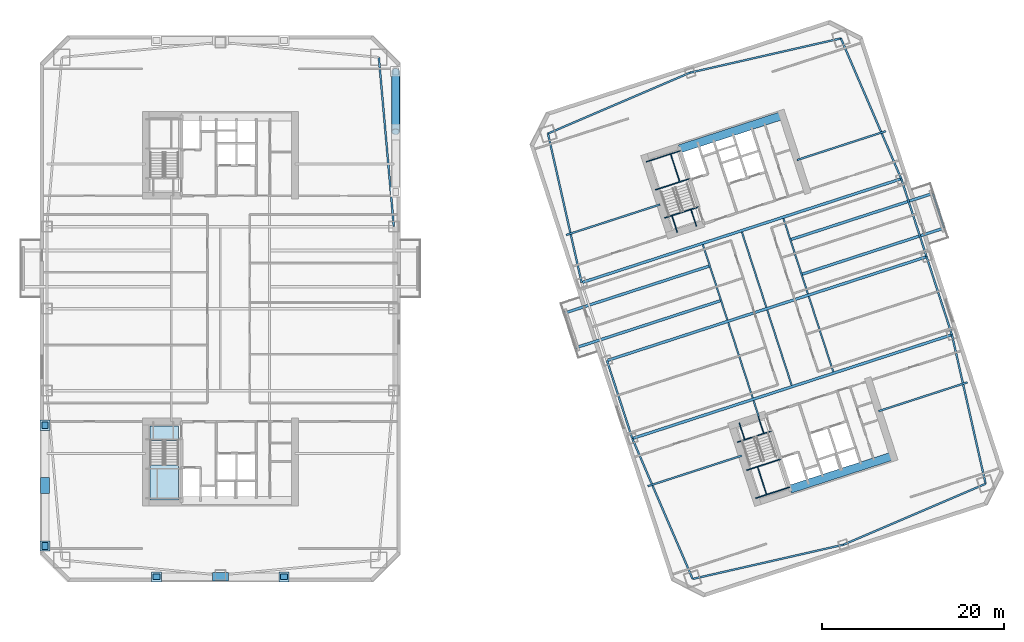
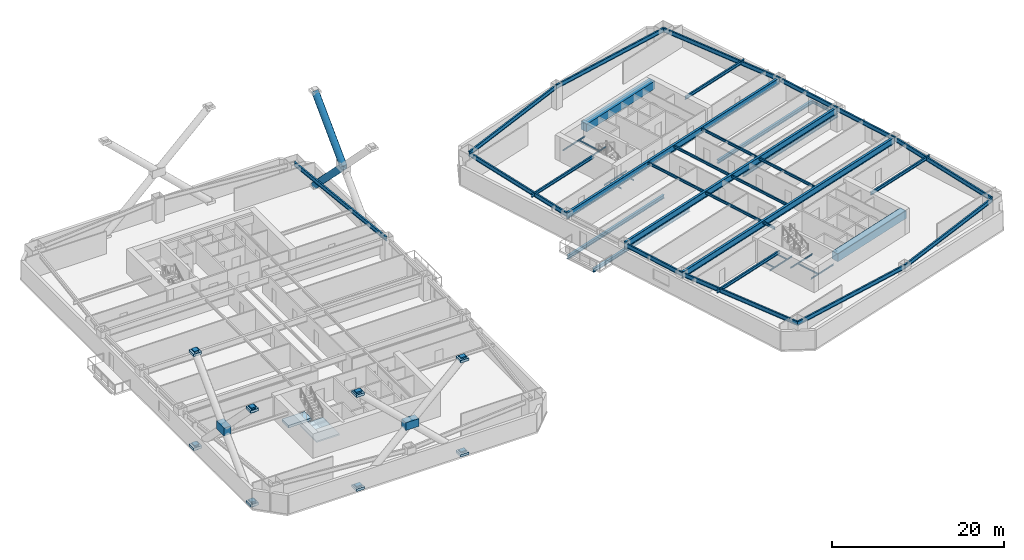
# One storey, part 2 of 15: 45 beams, 18 plates, 2 members, 2 slabs, 1 element without a shape of its own.
"""IFC4 building model written with IfcOpenShell, lengths in metres."""

from ifc_helpers import new_model, si_unit, direction, frame, origin, origin_2d, place, context, subcontext, project, spatial, polyline, rectangle, hollow_circle, i_section, outline, extrude, material, layer, layer_set, material_profile, profile_set, type_object, element, aggregate, save


model = new_model("IFC4")

# Units and contexts
model_context = context("Model", 3, precision=1e-05, world=origin(), true_north=direction((0.0, 1.0)))
body_context = subcontext(model_context, "Body", "Model", "MODEL_VIEW")
ifc_project = project(units=[si_unit("LENGTHUNIT", "METRE"), si_unit("AREAUNIT", "SQUARE_METRE"), si_unit("VOLUMEUNIT", "CUBIC_METRE"), si_unit("PLANEANGLEUNIT", "RADIAN"), si_unit("MASSUNIT", "GRAM", prefix="KILO")], contexts=[model_context])

# Site, building, storey
site_placement = place(None, origin())
site = spatial("IfcSite", under=ifc_project, at=site_placement, CompositionType="ELEMENT")
building_placement = place(site_placement, origin())
building = spatial("IfcBuilding", under=site, at=building_placement, Name="Qiaolan Cultural Towers", CompositionType="ELEMENT")
storey_placement = place(building_placement, frame((0.0, 0.0, 71.300048828125)))
storey = spatial("IfcBuildingStorey", under=building, at=storey_placement, Name="L17", CompositionType="ELEMENT", Elevation=71.300048828125)

# Beams
ifc_material_1 = material(Name="Steel Q355B", Category="steel")
ifc_material_profile_1 = material_profile(ifc_material_1, i_section(OverallWidth=0.300048828125, OverallDepth=0.488037109375, WebThickness=0.010986328125, FlangeThickness=0.01806640625, at=origin_2d()), Name="HM488x300x11x18")
ifc_profile_set_1 = profile_set([ifc_material_profile_1], Name="Steel Q355B")
beam_type_1 = type_object("IfcBeamType", Name="BM-HM488x300x11x18", PredefinedType="BEAM", material=ifc_profile_set_1)
for number, where, z_axis, x_axis, name in (
    (1, (84.978515625, 34.891845703125, -0.524169921875), (-0.951056559899, -0.309016860175, 0.0), (0.309016860175, -0.951056559899, 0.0), "L17 T2 Tree Balcony Back-Spanned Bracket Beam"),
    (2, (83.742431640625, 38.6962890625, -0.524169921875), (-0.951056559899, -0.309016860175, 0.0), (0.309016860175, -0.951056559899, 0.0), "L17 T2 Tree Balcony Back-Spanned Bracket Beam"),
):
    element("IfcBeam", number, at=place(storey_placement, frame(where, z_axis=z_axis, x_axis=x_axis)), inside=storey, type_object=beam_type_1, Name=name, PredefinedType="BEAM", context=body_context, shape_type="SweptSolid", body=[
        extrude(i_section(OverallWidth=0.300048828125, OverallDepth=0.488037109375, WebThickness=0.010986328125, FlangeThickness=0.01806640625, at=origin_2d()), origin(), (0.0, 0.0, 1.0), 16.75),
    ])
for number, where, z_axis, x_axis, name in (
    (3, (93.823486328125, 37.765869140625, -0.524169921875), (0.951057297292, 0.309014590704, 0.0), (-0.309014590704, 0.951057297292, 0.0), "L17 T2 Tree Balcony Back-Spanned Bracket Beam"),
    (4, (92.58740234375, 41.570068359375, -0.524169921875), (0.951057297292, 0.309014590704, 0.0), (-0.309014590704, 0.951057297292, 0.0), "L17 T2 Tree Balcony Back-Spanned Bracket Beam"),
):
    element("IfcBeam", number, at=place(storey_placement, frame(where, z_axis=z_axis, x_axis=x_axis)), inside=storey, type_object=beam_type_1, Name=name, PredefinedType="BEAM", context=body_context, shape_type="SweptSolid", body=[
        extrude(i_section(OverallWidth=0.300048828125, OverallDepth=0.488037109375, WebThickness=0.010986328125, FlangeThickness=0.01806640625, at=origin_2d()), origin(), (0.0, 0.0, 1.0), 16.449951171875),
    ])
ifc_material_2 = material(Name="Steel Q355B", Category="steel")
ifc_material_profile_2 = material_profile(ifc_material_2, i_section(OverallWidth=0.300048828125, OverallDepth=0.89990234375, WebThickness=0.01611328125, FlangeThickness=0.028076171875, at=origin_2d()), Name="HN900x300x16x28")
ifc_profile_set_2 = profile_set([ifc_material_profile_2], Name="Steel Q355B")
beam_type_2 = type_object("IfcBeamType", Name="BM-HN900x300x16x28", PredefinedType="BEAM", material=ifc_profile_set_2)
beam_1_placement = place(storey_placement, frame((75.234130859375, 19.739013671875, 2.739990234375), z_axis=(0.951055702987, 0.309019497469, 0.0), x_axis=(-0.309019497469, 0.951055702987, 0.0)))
element("IfcBeam", 5, at=beam_1_placement, inside=storey, type_object=beam_type_2, Name="L17 T2 Primary Transverse Girder V1", PredefinedType="BEAM", context=body_context, shape_type="SweptSolid", body=[
    extrude(i_section(OverallWidth=0.300048828125, OverallDepth=0.89990234375, WebThickness=0.01611328125, FlangeThickness=0.028076171875, at=origin_2d()), origin(), (0.0, 0.0, 1.0), 36.900146484375),
])
beam_2_placement = place(storey_placement, frame((72.453125, 28.298583984375, 2.739990234375), z_axis=(0.951055071173, 0.309021441968, 0.0), x_axis=(-0.309021441968, 0.951055071173, 0.0)))
element("IfcBeam", 6, at=beam_2_placement, inside=storey, type_object=beam_type_2, Name="L17 T2 Primary Transverse Girder V2", PredefinedType="BEAM", context=body_context, shape_type="SweptSolid", body=[
    extrude(i_section(OverallWidth=0.300048828125, OverallDepth=0.89990234375, WebThickness=0.01611328125, FlangeThickness=0.028076171875, at=origin_2d()), origin(), (0.0, 0.0, 1.0), 36.89990234375),
])
beam_3_placement = place(storey_placement, frame((69.671875, 36.858154296875, 2.739990234375), z_axis=(0.951055702987, 0.309019497469, 0.0), x_axis=(-0.309019497469, 0.951055702987, 0.0)))
element("IfcBeam", 7, at=beam_3_placement, inside=storey, type_object=beam_type_2, Name="L17 T2 Primary Transverse Girder V3", PredefinedType="BEAM", context=body_context, shape_type="SweptSolid", body=[
    extrude(i_section(OverallWidth=0.300048828125, OverallDepth=0.89990234375, WebThickness=0.01611328125, FlangeThickness=0.028076171875, at=origin_2d()), origin(), (0.0, 0.0, 1.0), 36.900146484375),
])
ifc_material_3 = material(Name="Steel Q355B", Category="steel")
ifc_material_profile_3 = material_profile(ifc_material_3, i_section(OverallWidth=0.175048828125, OverallDepth=0.35009765625, WebThickness=0.007080078125, FlangeThickness=0.010986328125, at=origin_2d()), Name="HN350x175x7x11")
ifc_profile_set_3 = profile_set([ifc_material_profile_3], Name="Steel Q355B")
beam_type_3 = type_object("IfcBeamType", Name="BM-JST-HN350x175x7x11", PredefinedType="JOIST", material=ifc_profile_set_3)
beam_4_placement = place(storey_placement, frame((109.46826171875, 42.84912109375, -0.524169921875), z_axis=(-0.309022586479, 0.951054699292, 0.0), x_axis=(-0.951054699292, -0.309022586479, 0.0)))
element("IfcBeam", 8, at=beam_4_placement, inside=storey, type_object=beam_type_3, Name="L17 T2 Tree Balcony Outer Edge Beam", PredefinedType="JOIST", context=body_context, shape_type="SweptSolid", body=[
    extrude(i_section(OverallWidth=0.175048828125, OverallDepth=0.35009765625, WebThickness=0.007080078125, FlangeThickness=0.010986328125, at=origin_2d()), origin(), (0.0, 0.0, 1.0), 4.0),
])
beam_5_placement = place(storey_placement, frame((89.119384765625, 22.147705078125, 3.014892578125), z_axis=(-0.308933885266, 0.951083516067, 0.0), x_axis=(-0.951083516067, -0.308933885266, 0.0)))
element("IfcBeam", 9, at=beam_5_placement, inside=storey, type_object=beam_type_3, Name="L17 T2 Secondary Floor Joist U1-1", PredefinedType="JOIST", context=body_context, shape_type="SweptSolid", body=[
    extrude(i_section(OverallWidth=0.175048828125, OverallDepth=0.35009765625, WebThickness=0.007080078125, FlangeThickness=0.010986328125, at=origin_2d()), origin(), (0.0, 0.0, 1.0), 1.85009765625),
])
for number, where, z_axis, x_axis, name in (
    (10, (88.455078125, 24.192626953125, 3.014892578125), (-0.309020714809, 0.951055307445, 0.0), (-0.951055307445, -0.309020714809, 0.0), "L17 T2 Secondary Floor Joist U1-2"),
    (11, (85.673828125, 32.752197265625, 3.014892578125), (-0.309020714809, 0.951055307445, 0.0), (-0.951055307445, -0.309020714809, 0.0), "L17 T2 Secondary Floor Joist U1-3"),
    (12, (92.73486328125, 25.583251953125, 3.014892578125), (-0.309020714809, 0.951055307445, 0.0), (-0.951055307445, -0.309020714809, 0.0), "L17 T2 Secondary Floor Joist U2-2"),
    (13, (89.95361328125, 34.142578125, 3.014892578125), (-0.309020714809, 0.951055307445, 0.0), (-0.951055307445, -0.309020714809, 0.0), "L17 T2 Secondary Floor Joist U2-3"),
    (14, (97.2998046875, 27.06640625, 3.014892578125), (-0.309020714809, 0.951055307445, 0.0), (-0.951055307445, -0.309020714809, 0.0), "L17 T2 Secondary Floor Joist U3-2"),
    (15, (94.518798828125, 35.6259765625, 3.014892578125), (-0.309020714809, 0.951055307445, 0.0), (-0.951055307445, -0.309020714809, 0.0), "L17 T2 Secondary Floor Joist U3-3"),
):
    element("IfcBeam", number, at=place(storey_placement, frame(where, z_axis=z_axis, x_axis=x_axis)), inside=storey, type_object=beam_type_3, Name=name, PredefinedType="JOIST", context=body_context, shape_type="SweptSolid", body=[
        extrude(i_section(OverallWidth=0.175048828125, OverallDepth=0.35009765625, WebThickness=0.007080078125, FlangeThickness=0.010986328125, at=origin_2d()), origin(), (0.0, 0.0, 1.0), 8.699951171875),
    ])
ifc_material_4 = material(Name="Steel Q355B", Category="steel")
ifc_material_profile_4 = material_profile(ifc_material_4, i_section(OverallWidth=0.199951171875, OverallDepth=0.449951171875, WebThickness=0.009033203125, FlangeThickness=0.013916015625, at=origin_2d()), Name="HN450x200x9x14")
ifc_profile_set_4 = profile_set([ifc_material_profile_4], Name="Steel Q355B")
beam_type_4 = type_object("IfcBeamType", Name="BM-LNT-HN450x200x9x14", PredefinedType="LINTEL", material=ifc_profile_set_4)
beam_6_placement = place(storey_placement, frame((87.252685546875, 17.861083984375, 2.96484375), z_axis=(-0.95105688584, -0.30901585703, 0.0), x_axis=(0.30901585703, -0.95105688584, 0.0)))
element("IfcBeam", 16, at=beam_6_placement, inside=storey, type_object=beam_type_4, Name="L17 T2 Core Flank Tie Lintel WS", PredefinedType="LINTEL", context=body_context, shape_type="SweptSolid", body=[
    extrude(i_section(OverallWidth=0.199951171875, OverallDepth=0.449951171875, WebThickness=0.009033203125, FlangeThickness=0.013916015625, at=origin_2d()), origin(), (0.0, 0.0, 1.0), 10.849853515625),
])
beam_7_placement = place(storey_placement, frame((78.291259765625, 45.44189453125, 2.96484375), z_axis=(-0.951052421511, -0.309029596542, 0.0), x_axis=(0.309029596542, -0.951052421511, 0.0)))
element("IfcBeam", 17, at=beam_7_placement, inside=storey, type_object=beam_type_4, Name="L17 T2 Core Flank Tie Lintel WN", PredefinedType="LINTEL", context=body_context, shape_type="SweptSolid", body=[
    extrude(i_section(OverallWidth=0.199951171875, OverallDepth=0.449951171875, WebThickness=0.009033203125, FlangeThickness=0.013916015625, at=origin_2d()), origin(), (0.0, 0.0, 1.0), 10.85009765625),
])
beam_8_placement = place(storey_placement, frame((102.279296875, 22.74365234375, 2.96484375), z_axis=(0.951056820587, 0.309016057859, 0.0), x_axis=(-0.309016057859, 0.951056820587, 0.0)))
element("IfcBeam", 18, at=beam_8_placement, inside=storey, type_object=beam_type_4, Name="L17 T2 Core Flank Tie Lintel ES", PredefinedType="LINTEL", context=body_context, shape_type="SweptSolid", body=[
    extrude(i_section(OverallWidth=0.199951171875, OverallDepth=0.449951171875, WebThickness=0.009033203125, FlangeThickness=0.013916015625, at=origin_2d()), origin(), (0.0, 0.0, 1.0), 10.250244140625),
])
beam_9_placement = place(storey_placement, frame((93.31787109375, 50.32421875, 2.96484375), z_axis=(0.951054546097, 0.309023057955, 0.0), x_axis=(-0.309023057955, 0.951054546097, 0.0)))
element("IfcBeam", 19, at=beam_9_placement, inside=storey, type_object=beam_type_4, Name="L17 T2 Core Flank Tie Lintel EN", PredefinedType="LINTEL", context=body_context, shape_type="SweptSolid", body=[
    extrude(i_section(OverallWidth=0.199951171875, OverallDepth=0.449951171875, WebThickness=0.009033203125, FlangeThickness=0.013916015625, at=origin_2d()), origin(), (0.0, 0.0, 1.0), 10.25),
])
ifc_material_5 = material(Name="Concrete C50", Category="concrete")
ifc_material_profile_5 = material_profile(ifc_material_5, rectangle(XDim=0.89990234375, YDim=1.10009765625, at=origin_2d()), Name="RC900x1100")
ifc_profile_set_5 = profile_set([ifc_material_profile_5], Name="Concrete C50")
beam_type_5 = type_object("IfcBeamType", Name="BM-RC900x1100", PredefinedType="BEAM", material=ifc_profile_set_5)
for number, where, z_axis, x_axis, name in (
    (20, (92.572265625, 14.174560546875, 2.639892578125), (0.951056266386, 0.309017763514, 0.0), (-0.309017763514, 0.951056266386, 0.0), "L17 T2 Core Header Girder S"),
    (21, (80.427978515625, 51.551025390625, 2.639892578125), (0.951056266386, 0.309017763514, 0.0), (-0.309017763514, 0.951056266386, 0.0), "L17 T2 Core Header Girder N"),
):
    element("IfcBeam", number, at=place(storey_placement, frame(where, z_axis=z_axis, x_axis=x_axis)), inside=storey, type_object=beam_type_5, Name=name, PredefinedType="BEAM", context=body_context, shape_type="SweptSolid", body=[
        extrude(rectangle(XDim=0.89990234375, YDim=1.10009765625, at=origin_2d()), origin(), (0.0, 0.0, 1.0), 11.880126953125),
    ])
ifc_material_6 = material(Name="Steel Q355B", Category="steel")
ifc_material_profile_6 = material_profile(ifc_material_6, i_section(OverallWidth=0.199951171875, OverallDepth=0.60009765625, WebThickness=0.010986328125, FlangeThickness=0.01708984375, at=origin_2d()), Name="HN600x200x11x17")
ifc_profile_set_6 = profile_set([ifc_material_profile_6], Name="Steel Q355B")
beam_type_6 = type_object("IfcBeamType", Name="BM-SPD-HN600x200x11x17", PredefinedType="SPANDREL", material=ifc_profile_set_6)
beam_10_placement = place(storey_placement, frame((49.050048828125, 43.0, 2.889892578125), z_axis=(-0.08837000091, 0.996087718496, 0.0), x_axis=(-0.996087718496, -0.08837000091, 0.0)))
element("IfcBeam", 22, at=beam_10_placement, inside=storey, type_object=beam_type_6, Name="L17 T1 Perimeter Spandrel Beam 6", PredefinedType="SPANDREL", context=body_context, shape_type="SweptSolid", body=[
    extrude(i_section(OverallWidth=0.199951171875, OverallDepth=0.60009765625, WebThickness=0.010986328125, FlangeThickness=0.01708984375, at=origin_2d()), origin(), (0.0, 0.0, 1.0), 18.673095703125),
])
for number, where, z_axis, x_axis, name in (
    (23, (81.862548828125, 4.32275390625, 2.889892578125), (0.975161095889, 0.221496810506, 0.0), (-0.221496810506, 0.975161095889, 0.0), "L17 T2 Perimeter Spandrel Beam 1"),
    (24, (98.420654296875, 8.083740234375, 2.889892578125), (0.919108584923, 0.394004326272, 0.0), (-0.394004326272, 0.919108584923, 0.0), "L17 T2 Perimeter Spandrel Beam 2"),
):
    element("IfcBeam", number, at=place(storey_placement, frame(where, z_axis=z_axis, x_axis=x_axis)), inside=storey, type_object=beam_type_6, Name=name, PredefinedType="SPANDREL", context=body_context, shape_type="SweptSolid", body=[
        extrude(i_section(OverallWidth=0.199951171875, OverallDepth=0.60009765625, WebThickness=0.010986328125, FlangeThickness=0.01708984375, at=origin_2d()), origin(), (0.0, 0.0, 1.0), 16.97998046875),
    ])
beam_11_placement = place(storey_placement, frame((114.027099609375, 14.77392578125, 2.889892578125), z_axis=(-0.220430557386, 0.975402670373, 0.0), x_axis=(-0.975402670373, -0.220430557386, 0.0)))
element("IfcBeam", 25, at=beam_11_placement, inside=storey, type_object=beam_type_6, Name="L17 T2 Perimeter Spandrel Beam 3", PredefinedType="SPANDREL", context=body_context, shape_type="SweptSolid", body=[
    extrude(i_section(OverallWidth=0.199951171875, OverallDepth=0.60009765625, WebThickness=0.010986328125, FlangeThickness=0.01708984375, at=origin_2d()), origin(), (0.0, 0.0, 1.0), 16.78076171875),
])
for number, where, z_axis, x_axis, name in (
    (26, (110.328125, 31.141845703125, 2.889892578125), (-0.309024734286, 0.951054001411, 0.0), (-0.951054001411, -0.309024734286, 0.0), "L17 T2 Perimeter Spandrel Beam 4"),
    (27, (107.546875, 39.701416015625, 2.889892578125), (-0.309000197986, 0.951061973609, 0.0), (-0.951061973609, -0.309000197986, 0.0), "L17 T2 Perimeter Spandrel Beam 5"),
):
    element("IfcBeam", number, at=place(storey_placement, frame(where, z_axis=z_axis, x_axis=x_axis)), inside=storey, type_object=beam_type_6, Name=name, PredefinedType="SPANDREL", context=body_context, shape_type="SweptSolid", body=[
        extrude(i_section(OverallWidth=0.199951171875, OverallDepth=0.60009765625, WebThickness=0.010986328125, FlangeThickness=0.01708984375, at=origin_2d()), origin(), (0.0, 0.0, 1.0), 9.0),
    ])
beam_12_placement = place(storey_placement, frame((104.765869140625, 48.260986328125, 2.889892578125), z_axis=(-0.394998896054, 0.918681594524, 0.0), x_axis=(-0.918681594524, -0.394998896054, 0.0)))
element("IfcBeam", 28, at=beam_12_placement, inside=storey, type_object=beam_type_6, Name="L17 T2 Perimeter Spandrel Beam 6", PredefinedType="SPANDREL", context=body_context, shape_type="SweptSolid", body=[
    extrude(i_section(OverallWidth=0.199951171875, OverallDepth=0.60009765625, WebThickness=0.010986328125, FlangeThickness=0.01708984375, at=origin_2d()), origin(), (0.0, 0.0, 1.0), 16.78076171875),
])
for number, where, z_axis, x_axis, name in (
    (29, (98.137451171875, 63.67724609375, 2.889892578125), (-0.975161095889, -0.221496810506, 0.0), (0.221496810506, -0.975161095889, 0.0), "L17 T2 Perimeter Spandrel Beam 7"),
    (30, (81.579345703125, 59.916259765625, 2.889892578125), (-0.919108584923, -0.394004326272, 0.0), (0.394004326272, -0.919108584923, 0.0), "L17 T2 Perimeter Spandrel Beam 8"),
):
    element("IfcBeam", number, at=place(storey_placement, frame(where, z_axis=z_axis, x_axis=x_axis)), inside=storey, type_object=beam_type_6, Name=name, PredefinedType="SPANDREL", context=body_context, shape_type="SweptSolid", body=[
        extrude(i_section(OverallWidth=0.199951171875, OverallDepth=0.60009765625, WebThickness=0.010986328125, FlangeThickness=0.01708984375, at=origin_2d()), origin(), (0.0, 0.0, 1.0), 16.97998046875),
    ])
beam_13_placement = place(storey_placement, frame((65.972900390625, 53.22607421875, 2.889892578125), z_axis=(0.220430557386, -0.975402670373, 0.0), x_axis=(0.975402670373, 0.220430557386, 0.0)))
element("IfcBeam", 31, at=beam_13_placement, inside=storey, type_object=beam_type_6, Name="L17 T2 Perimeter Spandrel Beam 9", PredefinedType="SPANDREL", context=body_context, shape_type="SweptSolid", body=[
    extrude(i_section(OverallWidth=0.199951171875, OverallDepth=0.60009765625, WebThickness=0.010986328125, FlangeThickness=0.01708984375, at=origin_2d()), origin(), (0.0, 0.0, 1.0), 16.78076171875),
])
beam_14_placement = place(storey_placement, frame((72.453125, 28.298583984375, 2.889892578125), z_axis=(0.309000197986, -0.951061973609, 0.0), x_axis=(0.951061973609, 0.309000197986, 0.0)))
element("IfcBeam", 32, at=beam_14_placement, inside=storey, type_object=beam_type_6, Name="L17 T2 Perimeter Spandrel Beam 11", PredefinedType="SPANDREL", context=body_context, shape_type="SweptSolid", body=[
    extrude(i_section(OverallWidth=0.199951171875, OverallDepth=0.60009765625, WebThickness=0.010986328125, FlangeThickness=0.01708984375, at=origin_2d()), origin(), (0.0, 0.0, 1.0), 9.0),
])
beam_15_placement = place(storey_placement, frame((75.234130859375, 19.739013671875, 2.889892578125), z_axis=(0.394998896054, -0.918681594524, 0.0), x_axis=(0.918681594524, 0.394998896054, 0.0)))
element("IfcBeam", 33, at=beam_15_placement, inside=storey, type_object=beam_type_6, Name="L17 T2 Perimeter Spandrel Beam 12", PredefinedType="SPANDREL", context=body_context, shape_type="SweptSolid", body=[
    extrude(i_section(OverallWidth=0.199951171875, OverallDepth=0.60009765625, WebThickness=0.010986328125, FlangeThickness=0.01708984375, at=origin_2d()), origin(), (0.0, 0.0, 1.0), 16.78076171875),
])
ifc_material_7 = material(Name="Steel Q355B", Category="steel")
ifc_material_profile_7 = material_profile(ifc_material_7, i_section(OverallWidth=0.10009765625, OverallDepth=0.199951171875, WebThickness=0.005615234375, FlangeThickness=0.008056640625, at=origin_2d()), Name="HN200x100x5.5x8")
ifc_profile_set_7 = profile_set([ifc_material_profile_7], Name="Steel Q355B")
beam_type_7 = type_object("IfcBeamType", Name="BM-STTRIM-200", PredefinedType="BEAM", material=ifc_profile_set_7)
beam_16_placement = place(storey_placement, frame((86.770751953125, 19.3447265625, -0.4599609375), z_axis=(0.951047798727, 0.309043823005, 0.0), x_axis=(-0.309043823005, 0.951047798727, 0.0)))
element("IfcBeam", 34, at=beam_16_placement, inside=storey, type_object=beam_type_7, Name="L17 ST-E1 Floor Landing Header Beam", PredefinedType="BEAM", context=body_context, shape_type="SweptSolid", body=[
    extrude(i_section(OverallWidth=0.10009765625, OverallDepth=0.199951171875, WebThickness=0.005615234375, FlangeThickness=0.008056640625, at=origin_2d()), origin(), (0.0, 0.0, 1.0), 3.919921875),
])
for number, where, z_axis, x_axis, name in (
    (35, (86.9794921875, 21.452392578125, -0.4599609375), (0.309083226701, -0.951034993558, 0.0), (0.951034993558, 0.309083226701, 0.0), "L17 ST-E1 Floor Landing Stringer 1"),
    (36, (89.07177734375, 22.13232421875, -0.4599609375), (0.309083226701, -0.951034993558, 0.0), (0.951034993558, 0.309083226701, 0.0), "L17 ST-E1 Floor Landing Stringer 2"),
):
    element("IfcBeam", number, at=place(storey_placement, frame(where, z_axis=z_axis, x_axis=x_axis)), inside=storey, type_object=beam_type_7, Name=name, PredefinedType="BEAM", context=body_context, shape_type="SweptSolid", body=[
        extrude(i_section(OverallWidth=0.10009765625, OverallDepth=0.199951171875, WebThickness=0.005615234375, FlangeThickness=0.008056640625, at=origin_2d()), origin(), (0.0, 0.0, 1.0), 1.93994140625),
    ])
for number, where, z_axis, x_axis, name in (
    (37, (87.774658203125, 16.255126953125, 1.425048828125), (0.951047798727, 0.309043823005, 0.0), (-0.309043823005, 0.951047798727, 0.0), "L17 ST-E1 Stair Landing Support Beam 1-1"),
    (38, (88.773193359375, 13.181884765625, 1.425048828125), (0.951047798727, 0.309043823005, 0.0), (-0.309043823005, 0.951047798727, 0.0), "L17 ST-E1 Stair Landing Support Beam 1-2"),
):
    element("IfcBeam", number, at=place(storey_placement, frame(where, z_axis=z_axis, x_axis=x_axis)), inside=storey, type_object=beam_type_7, Name=name, PredefinedType="BEAM", context=body_context, shape_type="SweptSolid", body=[
        extrude(i_section(OverallWidth=0.10009765625, OverallDepth=0.199951171875, WebThickness=0.005615234375, FlangeThickness=0.008056640625, at=origin_2d()), origin(), (0.0, 0.0, 1.0), 3.919921875),
    ])
beam_17_placement = place(storey_placement, frame((88.982421875, 16.6474609375, 1.425048828125), z_axis=(0.309033108495, -0.951051280349, 0.0), x_axis=(0.951051280349, 0.309033108495, 0.0)))
element("IfcBeam", 39, at=beam_17_placement, inside=storey, type_object=beam_type_7, Name="L17 ST-E1 Stair Landing Trimmer 1", PredefinedType="BEAM", context=body_context, shape_type="SweptSolid", body=[
    extrude(i_section(OverallWidth=0.10009765625, OverallDepth=0.199951171875, WebThickness=0.005615234375, FlangeThickness=0.008056640625, at=origin_2d()), origin(), (0.0, 0.0, 1.0), 3.231201171875),
])
beam_18_placement = place(storey_placement, frame((78.773193359375, 43.958251953125, -0.4599609375), z_axis=(0.951072048947, 0.3089691857, 0.0), x_axis=(-0.3089691857, 0.951072048947, 0.0)))
element("IfcBeam", 40, at=beam_18_placement, inside=storey, type_object=beam_type_7, Name="L17 ST-E2 Floor Landing Header Beam", PredefinedType="BEAM", context=body_context, shape_type="SweptSolid", body=[
    extrude(i_section(OverallWidth=0.10009765625, OverallDepth=0.199951171875, WebThickness=0.005615234375, FlangeThickness=0.008056640625, at=origin_2d()), origin(), (0.0, 0.0, 1.0), 3.920166015625),
])
for number, where, z_axis, x_axis, name in (
    (41, (80.18115234375, 42.375732421875, -0.4599609375), (-0.308969394428, 0.951071981138, 0.0), (-0.951071981138, -0.308969394428, 0.0), "L17 ST-E2 Floor Landing Stringer 1"),
    (42, (82.2734375, 43.0556640625, -0.4599609375), (-0.308969394428, 0.951071981138, 0.0), (-0.951071981138, -0.308969394428, 0.0), "L17 ST-E2 Floor Landing Stringer 2"),
):
    element("IfcBeam", number, at=place(storey_placement, frame(where, z_axis=z_axis, x_axis=x_axis)), inside=storey, type_object=beam_type_7, Name=name, PredefinedType="BEAM", context=body_context, shape_type="SweptSolid", body=[
        extrude(i_section(OverallWidth=0.10009765625, OverallDepth=0.199951171875, WebThickness=0.005615234375, FlangeThickness=0.008056640625, at=origin_2d()), origin(), (0.0, 0.0, 1.0), 1.93994140625),
    ])
for number, where, z_axis, x_axis, name in (
    (43, (77.769287109375, 47.0478515625, 1.425048828125), (0.951053746643, 0.309025518358, 0.0), (-0.309025518358, 0.951053746643, 0.0), "L17 ST-E2 Stair Landing Support Beam 1-1"),
    (44, (76.770751953125, 50.12109375, 1.425048828125), (0.951072048947, 0.3089691857, 0.0), (-0.3089691857, 0.951072048947, 0.0), "L17 ST-E2 Stair Landing Support Beam 1-2"),
):
    element("IfcBeam", number, at=place(storey_placement, frame(where, z_axis=z_axis, x_axis=x_axis)), inside=storey, type_object=beam_type_7, Name=name, PredefinedType="BEAM", context=body_context, shape_type="SweptSolid", body=[
        extrude(i_section(OverallWidth=0.10009765625, OverallDepth=0.199951171875, WebThickness=0.005615234375, FlangeThickness=0.008056640625, at=origin_2d()), origin(), (0.0, 0.0, 1.0), 3.920166015625),
    ])
beam_19_placement = place(storey_placement, frame((80.44189453125, 47.916259765625, 1.425048828125), z_axis=(-0.309033108495, 0.951051280349, 0.0), x_axis=(-0.951051280349, -0.309033108495, 0.0)))
element("IfcBeam", 45, at=beam_19_placement, inside=storey, type_object=beam_type_7, Name="L17 ST-E2 Stair Landing Trimmer 1", PredefinedType="BEAM", context=body_context, shape_type="SweptSolid", body=[
    extrude(i_section(OverallWidth=0.10009765625, OverallDepth=0.199951171875, WebThickness=0.005615234375, FlangeThickness=0.008056640625, at=origin_2d()), origin(), (0.0, 0.0, 1.0), 3.231201171875),
])

# Members
ifc_material_8 = material(Name="Steel Q390GJB", Category="steel")
ifc_material_profile_8 = material_profile(ifc_material_8, hollow_circle(Radius=0.449951171875, WallThickness=0.044921875, at=origin_2d()), Name="CHS900x45")
ifc_profile_set_8 = profile_set([ifc_material_profile_8], Name="Steel Q390GJB")
member_type = type_object("IfcMemberType", Name="MBR-BRC-CHS900x45", PredefinedType="BRACE", material=ifc_profile_set_8)
for number, where, z_axis, x_axis, name in (
    (46, (49.25, 53.425048828125, 6.824951171875), (0.0, 0.704440911161, 0.709762638269), (-1.0, 0.0, 0.0), "T1 EAST Perimeter Frame Diagonal W-Z1-M4-D1B"),
    (47, (49.25, 60.050048828125, 0.14990234375), (0.0, -0.704440911161, 0.709762638269), (1.0, 0.0, 0.0), "T1 EAST Perimeter Frame Diagonal W-Z1-M4-D2A"),
):
    element("IfcMember", number, at=place(storey_placement, frame(where, z_axis=z_axis, x_axis=x_axis)), inside=storey, type_object=member_type, Name=name, PredefinedType="BRACE", context=body_context, shape_type="SweptSolid", body=[
        extrude(hollow_circle(Radius=0.449951171875, WallThickness=0.044921875, at=origin_2d()), origin(), (0.0, 0.0, 1.0), 9.404541015625),
    ])

# Plates
ifc_material_9 = material(Name="Steel Q355B", Category="steel")
ifc_layer_1 = layer(ifc_material_9, 0.035888671875)
ifc_layer_set_1 = layer_set([ifc_layer_1], Name="Steel Q355B")
plate_type_1 = type_object("IfcPlateType", Name="PL-CONN-36", PredefinedType="USERDEFINED", material=ifc_layer_set_1)
for number, where, z_axis, x_axis, name in (
    (48, (10.75, 7.949951171875, -0.22021484375), (0.0, 0.0, 1.0), (0.0, 1.0, 0.0), "L17 Brace End Connection Gusset Plate GP-02-0228"),
    (49, (10.75, 21.199951171875, 13.1298828125), (0.0, 0.0, 1.0), (0.0, 1.0, 0.0), "L17 Brace End Connection Gusset Plate GP-02-0229"),
    (50, (10.75, 21.199951171875, -0.22021484375), (0.0, 0.0, 1.0), (0.0, 1.0, 0.0), "L17 Brace End Connection Gusset Plate GP-02-0230"),
    (51, (10.75, 7.949951171875, 13.1298828125), (0.0, 0.0, 1.0), (0.0, 1.0, 0.0), "L17 Brace End Connection Gusset Plate GP-02-0231"),
    (52, (23.0, 4.550048828125, -0.22021484375), (0.0, 0.0, 1.0), (1.0, 0.0, 0.0), "L17 Brace End Connection Gusset Plate GP-02-0236"),
    (53, (37.0, 4.550048828125, 13.1298828125), (0.0, 0.0, 1.0), (1.0, 0.0, 0.0), "L17 Brace End Connection Gusset Plate GP-02-0237"),
    (54, (37.0, 4.550048828125, -0.22021484375), (0.0, 0.0, 1.0), (1.0, 0.0, 0.0), "L17 Brace End Connection Gusset Plate GP-02-0238"),
    (55, (23.0, 4.550048828125, 13.1298828125), (0.0, 0.0, 1.0), (1.0, 0.0, 0.0), "L17 Brace End Connection Gusset Plate GP-02-0239"),
):
    element("IfcPlate", number, at=place(storey_placement, frame(where, z_axis=z_axis, x_axis=x_axis)), inside=storey, type_object=plate_type_1, Name=name, ObjectType="GUSSET_PLATE", PredefinedType="USERDEFINED", context=body_context, shape_type="SweptSolid", body=[
        extrude(rectangle(XDim=0.739990234375, YDim=0.6201171875, at=origin_2d()), origin(), (0.0, 0.0, 1.0), 0.739990234375),
    ])
ifc_material_10 = material(Name="Steel Q355B", Category="steel")
ifc_layer_2 = layer(ifc_material_10, 0.030029296875)
ifc_layer_set_2 = layer_set([ifc_layer_2], Name="Steel Q355B")
plate_type_2 = type_object("IfcPlateType", Name="PL-ENDCAP-30", PredefinedType="USERDEFINED", material=ifc_layer_set_2)
for number, where, z_axis, x_axis, name in (
    (56, (10.75, 7.949951171875, -0.025146484375), (0.0, 0.0, 1.0), (0.0, 1.0, 0.0), "Hollow Brace End Seal Cap Plate CP-01"),
    (57, (10.75, 21.199951171875, -0.025146484375), (0.0, 0.0, 1.0), (0.0, 1.0, 0.0), "Hollow Brace End Seal Cap Plate CP-01"),
    (58, (10.75, 7.949951171875, 13.324951171875), (0.0, 0.0, 1.0), (0.0, 1.0, 0.0), "Hollow Brace End Seal Cap Plate CP-01"),
    (59, (10.75, 21.199951171875, 13.324951171875), (0.0, 0.0, 1.0), (0.0, 1.0, 0.0), "Hollow Brace End Seal Cap Plate CP-01"),
    (60, (23.0, 4.550048828125, -0.025146484375), (0.0, 0.0, 1.0), (1.0, 0.0, 0.0), "Hollow Brace End Seal Cap Plate CP-01"),
    (61, (37.0, 4.550048828125, -0.025146484375), (0.0, 0.0, 1.0), (1.0, 0.0, 0.0), "Hollow Brace End Seal Cap Plate CP-01"),
    (62, (23.0, 4.550048828125, 13.324951171875), (0.0, 0.0, 1.0), (1.0, 0.0, 0.0), "Hollow Brace End Seal Cap Plate CP-01"),
    (63, (37.0, 4.550048828125, 13.324951171875), (0.0, 0.0, 1.0), (1.0, 0.0, 0.0), "Hollow Brace End Seal Cap Plate CP-01"),
):
    element("IfcPlate", number, at=place(storey_placement, frame(where, z_axis=z_axis, x_axis=x_axis)), inside=storey, type_object=plate_type_2, Name=name, ObjectType="BASE_PLATE", PredefinedType="USERDEFINED", context=body_context, shape_type="SweptSolid", body=[
        extrude(rectangle(XDim=1.10009765625, YDim=1.10009765625, at=origin_2d()), origin(), (0.0, 0.0, 1.0), 0.35009765625),
    ])
ifc_material_11 = material(Name="Steel Q390GJB", Category="steel")
ifc_layer_3 = layer(ifc_material_11, 0.0439453125)
ifc_layer_set_3 = layer_set([ifc_layer_3], Name="Steel Q390GJB")
plate_type_3 = type_object("IfcPlateType", Name="PL-NODE-ND02", PredefinedType="USERDEFINED", material=ifc_layer_set_3)
plate_1_placement = place(storey_placement, frame((10.75, 14.574951171875, 6.27490234375), z_axis=(0.0, 0.0, 1.0), x_axis=(0.0, 1.0, 0.0)))
element("IfcPlate", 64, at=plate_1_placement, inside=storey, type_object=plate_type_3, Name="Perimeter Frame Gusset Node Assembly ND-02", ObjectType="GUSSET_PLATE", PredefinedType="USERDEFINED", context=body_context, shape_type="SweptSolid", body=[
    extrude(rectangle(XDim=1.760009765625, YDim=0.9599609375, at=origin_2d()), origin(), (0.0, 0.0, 1.0), 1.10009765625),
])
ifc_material_12 = material(Name="Steel Q390GJB", Category="steel")
ifc_layer_4 = layer(ifc_material_12, 0.0400390625)
ifc_layer_set_4 = layer_set([ifc_layer_4], Name="Steel Q390GJB")
plate_type_4 = type_object("IfcPlateType", Name="PL-NODE-ND04", PredefinedType="USERDEFINED", material=ifc_layer_set_4)
plate_2_placement = place(storey_placement, frame((30.0, 4.550048828125, 6.27490234375), z_axis=(0.0, 0.0, 1.0), x_axis=(1.0, 0.0, 0.0)))
element("IfcPlate", 65, at=plate_2_placement, inside=storey, type_object=plate_type_4, Name="Perimeter Frame Gusset Node Assembly ND-04", ObjectType="GUSSET_PLATE", PredefinedType="USERDEFINED", context=body_context, shape_type="SweptSolid", body=[
    extrude(rectangle(XDim=1.760009765625, YDim=0.9599609375, at=origin_2d()), origin(), (0.0, 0.0, 1.0), 1.10009765625),
])

# Stair, slab
ifc_material_13 = material(Name="Concrete C45", Category="concrete")
stair_type = type_object("IfcStairType", Name="STR-CORE-1500", PredefinedType="HALF_TURN_STAIR", material=ifc_material_13)
stair_placement = place(storey_placement, origin())
stair = element("IfcStair", 66, at=stair_placement, inside=storey, type_object=stair_type, Name="L17 Smokeproof Exit Stair ST-W1", PredefinedType="HALF_TURN_STAIR")
ifc_material_14 = material(Name="Concrete C45", Category="concrete")
ifc_layer_5 = layer(ifc_material_14, 0.199951171875)
ifc_layer_set_5 = layer_set([ifc_layer_5], Name="Concrete C45")
slab_type_1 = type_object("IfcSlabType", Name="SL-STAIR-LAND", PredefinedType="LANDING", material=ifc_layer_set_5)
slab_1_placement = place(storey_placement, frame((0.0, 0.0, 1.52490234375)))
slab_1 = element("IfcSlab", 67, at=slab_1_placement, type_object=slab_type_1, Name="ST-W1 landing 1", PredefinedType="LANDING", context=body_context, shape_type="SweptSolid", body=[
    extrude(outline(polyline([(22.300048828125, 16.851318359375), (22.300048828125, 13.0), (25.3798828125, 13.0), (25.3798828125, 16.851318359375), (22.300048828125, 16.851318359375)])), origin(), (0.0, 0.0, 1.0), 0.199951171875),
])
aggregate(stair, [slab_1])

# Slab
ifc_material_15 = material(Name="Concrete C40", Category="concrete")
ifc_layer_6 = layer(ifc_material_15, 0.360107421875)
ifc_layer_set_6 = layer_set([ifc_layer_6], Name="Concrete C40")
slab_type_2 = type_object("IfcSlabType", Name="SL-STFLR-360", PredefinedType="LANDING", material=ifc_layer_set_6)
slab_2_placement = place(storey_placement, frame((0.0, 0.0, -0.360107421875)))
element("IfcSlab", 68, at=slab_2_placement, inside=storey, type_object=slab_type_2, Name="L17 ST-W1 Stair Floor Landing Slab", PredefinedType="LANDING", context=body_context, shape_type="SweptSolid", body=[
    extrude(outline(polyline([(22.302001953125, 21.097900390625), (22.302001953125, 19.548583984375), (25.3779296875, 19.548583984375), (25.3779296875, 21.097900390625), (22.302001953125, 21.097900390625)])), origin(), (0.0, 0.0, 1.0), 0.360107421875),
])

save(model, "model.ifc")
